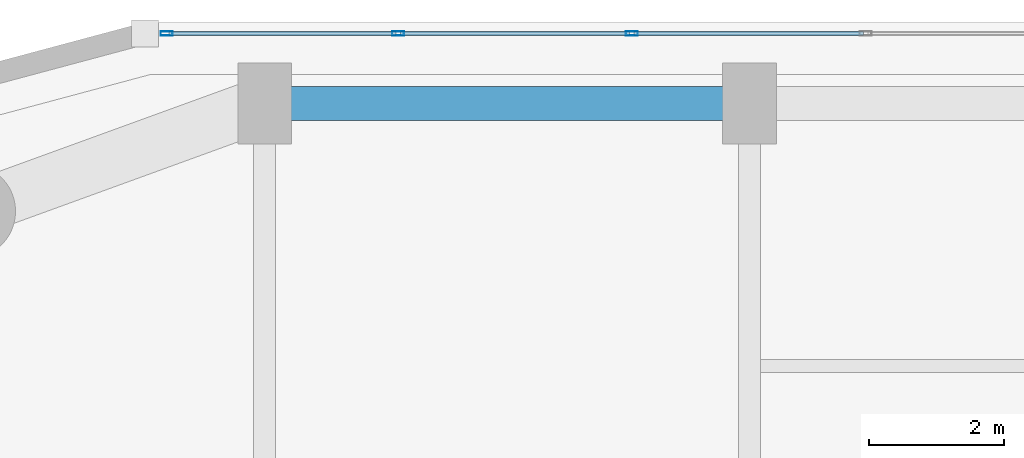
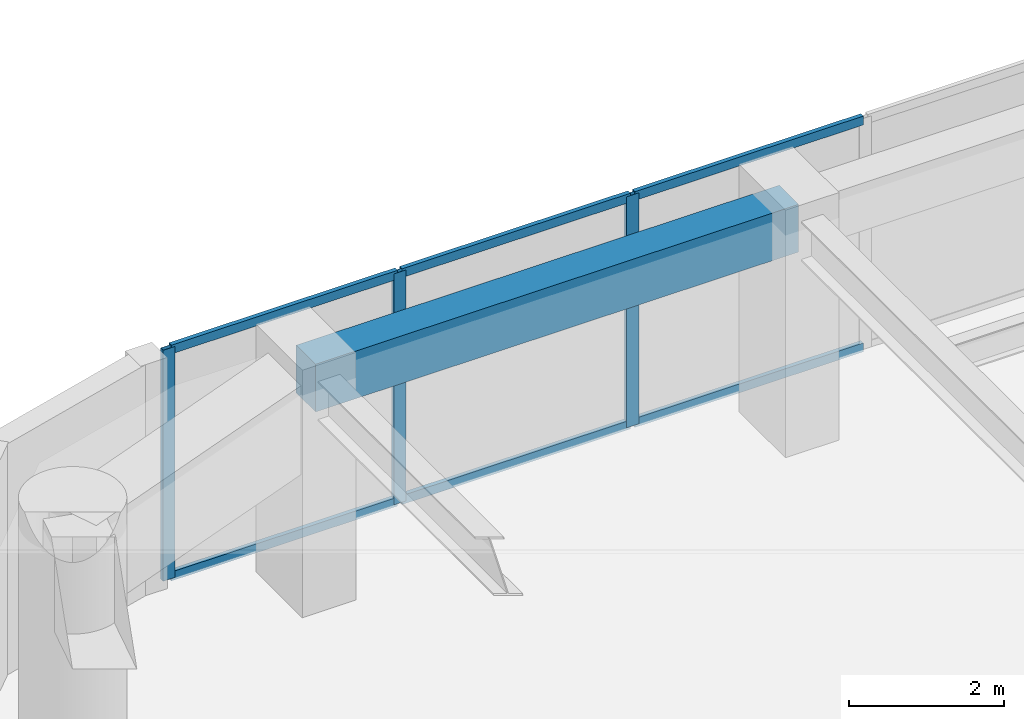
# One storey, part 13 of 24: 9 members, 1 beam, 1 element without a shape of its own.
"""IFC4 building model written with IfcOpenShell, lengths in metres."""

import ifcopenshell
import ifcopenshell.guid

model = None  # the IFC model being written
_history = None  # IfcOwnerHistory: only IFC2X3 demands one
_inside = {}  # id of a spatial element -> (the spatial element, [elements in it])
_under = {}  # id of a project, library or spatial element -> (it, [spatial elements below it])
_declared = {}  # id of a project -> (the project, [libraries it declares])
_typed = {}  # id of a type object -> (the type object, [elements of that type])
_made_of = {}  # id of a material, layer set ... -> (it, [elements and type objects made of it])


def new_model(schema):
    """Start an empty IFC model of exactly this schema.

    Asked for "IFC4X3", IfcOpenShell would pick the latest addendum, in which some entities
    have other attributes; the version numbers below select the first issue.
    IFC2X3 requires an IfcOwnerHistory on every rooted entity: one is made here for all.
    """
    global model, _history
    if schema == "IFC4X3":
        model = ifcopenshell.file(schema_version=(4, 3, 0, 0))
    else:
        model = ifcopenshell.file(schema=schema)
    _inside.clear()
    _under.clear()
    _declared.clear()
    _typed.clear()
    _made_of.clear()
    _history = None
    if model.schema == "IFC2X3":
        org = make("IfcOrganization", Name="unknown")
        user = make(
            "IfcPersonAndOrganization",
            ThePerson=make("IfcPerson", FamilyName="unknown"),
            TheOrganization=org,
        )
        app = make(
            "IfcApplication",
            ApplicationDeveloper=org,
            Version="unknown",
            ApplicationFullName="unknown",
            ApplicationIdentifier="unknown",
        )
        _history = make(
            "IfcOwnerHistory",
            OwningUser=user,
            OwningApplication=app,
            ChangeAction="ADDED",
            CreationDate=0,
        )
    return model


def make(cls, **values):
    """One entity of the class cls with the attributes given. An attribute that is None is left unset."""
    return model.create_entity(
        cls, **{name: value for name, value in values.items() if value is not None}
    )


def rooted(cls, **values):
    """An entity with a GlobalId (a new one), such as an element, a storey or a relation."""
    return make(cls, GlobalId=ifcopenshell.guid.new(), OwnerHistory=_history, **values)


def si_unit(unit_type, name, prefix=None):
    """IfcSIUnit, for example si_unit("LENGTHUNIT", "METRE", prefix="MILLI")."""
    return make("IfcSIUnit", UnitType=unit_type, Prefix=prefix, Name=name)


def assignment(units):
    """IfcUnitAssignment: the units of a project."""
    return None if units is None else make("IfcUnitAssignment", Units=units)


def point(xyz):
    """IfcCartesianPoint."""
    return None if xyz is None else make("IfcCartesianPoint", Coordinates=xyz)


def direction(xyz):
    """IfcDirection."""
    return None if xyz is None else make("IfcDirection", DirectionRatios=xyz)


def frame(location, z_axis=None, x_axis=None):
    """IfcAxis2Placement3D, a coordinate frame: its origin and axes. An axis left out is left unset."""
    return make(
        "IfcAxis2Placement3D",
        Location=point(location),
        Axis=direction(z_axis),
        RefDirection=direction(x_axis),
    )


def frame_2d(location, x_axis=None):
    """IfcAxis2Placement2D, a coordinate frame in the plane: its origin and x axis."""
    return make(
        "IfcAxis2Placement2D", Location=point(location), RefDirection=direction(x_axis)
    )


def origin():
    """The frame at (0, 0, 0) with its axes left unset."""
    return frame((0.0, 0.0, 0.0))


def origin_2d():
    """The frame at (0, 0) in the plane with its x axis left unset."""
    return frame_2d((0.0, 0.0))


def place(relative_to, where):
    """IfcLocalPlacement: puts the frame where relative to a parent placement (None: the world)."""
    return make(
        "IfcLocalPlacement", PlacementRelTo=relative_to, RelativePlacement=where
    )


def context(
    kind, dimensions, precision=None, world=None, true_north=None, identifier=None
):
    """IfcGeometricRepresentationContext, for example the 3D "Model" context."""
    return make(
        "IfcGeometricRepresentationContext",
        ContextIdentifier=identifier,
        ContextType=kind,
        CoordinateSpaceDimension=dimensions,
        Precision=precision,
        WorldCoordinateSystem=world,
        TrueNorth=true_north,
    )


def subcontext(parent, identifier, kind, view, scale=None):
    """IfcGeometricRepresentationSubContext, for example "Body" below "Model"."""
    return make(
        "IfcGeometricRepresentationSubContext",
        ContextIdentifier=identifier,
        ContextType=kind,
        ParentContext=parent,
        TargetScale=scale,
        TargetView=view,
    )


def project(units=None, contexts=None):
    """IfcProject with its units and contexts."""
    return rooted(
        "IfcProject",
        Name="project",
        RepresentationContexts=contexts,
        UnitsInContext=assignment(units),
    )


def spatial(cls, under=None, at=None, **own):
    """A site, building, storey or space (cls), placed at a placement, below another one or the project."""
    s = rooted(cls, ObjectPlacement=at, **own)
    if under is not None:
        _under.setdefault(under.id(), (under, []))[1].append(s)
    return s


def profile(cls, at=None, kind="AREA", **sizes):
    """A parametric profile (cls). Its sizes go by their IFC names, for example OverallWidth=200.0."""
    return make(cls, ProfileType=kind, Position=at, **sizes)


def rectangle(**sizes):
    """IfcRectangleProfileDef."""
    return profile("IfcRectangleProfileDef", **sizes)


def hollow_rectangle(**sizes):
    """IfcRectangleHollowProfileDef."""
    return profile("IfcRectangleHollowProfileDef", **sizes)


def extrude(swept, where, along, depth):
    """IfcExtrudedAreaSolid: the profile swept, set in the frame where, extruded along a direction by depth."""
    return make(
        "IfcExtrudedAreaSolid",
        SweptArea=swept,
        Position=where,
        ExtrudedDirection=direction(along),
        Depth=depth,
    )


def shape(context_of_items, identifier, shape_type, items):
    """IfcShapeRepresentation: the items that make up one representation, for example the "Body"."""
    return make(
        "IfcShapeRepresentation",
        ContextOfItems=context_of_items,
        RepresentationIdentifier=identifier,
        RepresentationType=shape_type,
        Items=items,
    )


def material(Name=None, Category=None):
    """IfcMaterial."""
    return make("IfcMaterial", Name=Name, Category=Category)


def layer(
    of_material, thickness, ventilated=None, Name=None, Category=None, Priority=None
):
    """IfcMaterialLayer: one layer of a wall or slab, of a material (None: an air gap)."""
    return make(
        "IfcMaterialLayer",
        Material=of_material,
        LayerThickness=thickness,
        IsVentilated=ventilated,
        Name=Name,
        Category=Category,
        Priority=Priority,
    )


def layer_set(layers, Name=None):
    """IfcMaterialLayerSet."""
    return make("IfcMaterialLayerSet", MaterialLayers=layers, LayerSetName=Name)


def material_profile(
    of_material, cross_section, Name=None, Category=None, Priority=None
):
    """IfcMaterialProfile: a cross section and its material."""
    return make(
        "IfcMaterialProfile",
        Name=Name,
        Material=of_material,
        Profile=cross_section,
        Priority=Priority,
        Category=Category,
    )


def profile_set(profiles, Name=None, composite=None):
    """IfcMaterialProfileSet."""
    return make(
        "IfcMaterialProfileSet",
        Name=Name,
        MaterialProfiles=profiles,
        CompositeProfile=composite,
    )


def made_of(thing, what):
    """Note that an element or type object is made of a material, layer set ...; save() writes the relation."""
    if what is not None:
        _made_of.setdefault(what.id(), (what, []))[1].append(thing)
    return thing


def type_object(cls, material=None, **own):
    """A type object (cls), such as IfcWallType, which elements share."""
    return made_of(rooted(cls, **own), material)


def element(
    cls,
    number,
    at=None,
    inside=None,
    cuts=None,
    type_object=None,
    material=None,
    context=None,
    identifier="Body",
    shape_type=None,
    held_by="IfcProductDefinitionShape",
    body=None,
    shapes=None,
    **own,
):
    """One element of the class cls, such as IfcWall. Its Tag is "e" and its number.

    at: its placement. inside: the storey or other place that contains it. cuts: it is an
    opening in that element (IfcRelVoidsElement). A single representation is given by context,
    identifier, shape_type and body (its items); several are given by shapes. held_by: the class
    of the entity that holds the representations. save() writes the other relations.
    """
    e = rooted(cls, Tag="e%d" % number, ObjectPlacement=at, **own)
    if body is not None:
        shapes = [shape(context, identifier, shape_type, body)]
    if shapes is not None:
        e.Representation = make(held_by, Representations=shapes)
    if inside is not None:
        _inside.setdefault(inside.id(), (inside, []))[1].append(e)
    if cuts is not None:
        rooted(
            "IfcRelVoidsElement", RelatingBuildingElement=cuts, RelatedOpeningElement=e
        )
    if type_object is not None:
        _typed.setdefault(type_object.id(), (type_object, []))[1].append(e)
    return made_of(e, material)


def aggregate(whole, parts):
    """IfcRelAggregates: a whole, such as a stair, and the parts it consists of."""
    return rooted("IfcRelAggregates", RelatingObject=whole, RelatedObjects=parts)


def save(model, path):
    """Write the relations noted so far, then the file.

    IfcRelAggregates (storeys below a building ...), IfcRelContainedInSpatialStructure (elements
    in a storey), IfcRelDefinesByType, IfcRelAssociatesMaterial and IfcRelDeclares: one each for
    every whole, place, type object, material and project.
    """
    for whole, parts in _under.values():
        aggregate(whole, parts)
    for where, things in _inside.values():
        rooted(
            "IfcRelContainedInSpatialStructure",
            RelatedElements=things,
            RelatingStructure=where,
        )
    for kind, things in _typed.values():
        rooted("IfcRelDefinesByType", RelatedObjects=things, RelatingType=kind)
    for what, things in _made_of.values():
        rooted("IfcRelAssociatesMaterial", RelatedObjects=things, RelatingMaterial=what)
    for by, libraries in _declared.values():
        rooted("IfcRelDeclares", RelatingContext=by, RelatedDefinitions=libraries)
    model.write(path)


model = new_model("IFC4")

# Units and contexts
model_context = context("Model", 3, precision=1e-05, world=origin(), true_north=direction((0.0, 1.0)))
body_context = subcontext(model_context, "Body", "Model", "MODEL_VIEW")
ifc_project = project(units=[si_unit("LENGTHUNIT", "METRE"), si_unit("AREAUNIT", "SQUARE_METRE"), si_unit("VOLUMEUNIT", "CUBIC_METRE"), si_unit("PLANEANGLEUNIT", "RADIAN"), si_unit("MASSUNIT", "GRAM", prefix="KILO")], contexts=[model_context])

# Site, building, storey
site_placement = place(None, origin())
site = spatial("IfcSite", under=ifc_project, at=site_placement, CompositionType="ELEMENT")
building_placement = place(site_placement, origin())
building = spatial("IfcBuilding", under=site, at=building_placement, Name="Kiyonajd Concourse Tower", CompositionType="ELEMENT")
storey_placement = place(building_placement, frame((0.0, 0.0, 133.800048828125)))
storey = spatial("IfcBuildingStorey", under=building, at=storey_placement, Name="L34", CompositionType="ELEMENT", Elevation=133.800048828125)

# Beam
ifc_material_1 = material(Name="Precast concrete C50/60", Category="concrete")
ifc_material_profile_1 = material_profile(ifc_material_1, rectangle(XDim=0.5, YDim=0.75, at=origin_2d()), Name="RCBM-500x750")
ifc_profile_set_1 = profile_set([ifc_material_profile_1], Name="Precast concrete C50/60")
beam_type = type_object("IfcBeamType", Name="BM-SPAN-RC", PredefinedType="SPANDREL", material=ifc_profile_set_1)
beam_placement = place(storey_placement, frame((32.39990234375, 61.199951171875, 3.264892578125), z_axis=(-1.0, 0.0, 0.0), x_axis=(0.0, -1.0, 0.0)))
element("IfcBeam", 1, at=beam_placement, inside=storey, type_object=beam_type, Name="L34 Perimeter Bundled Tube Spandrel", PredefinedType="SPANDREL", context=body_context, shape_type="SweptSolid", body=[
    extrude(rectangle(XDim=0.5, YDim=0.75, at=origin_2d()), origin(), (0.0, 0.0, 1.0), 7.199951171875),
])

# Curtain wall, members
ifc_material_2 = material(Name="Thermally Broken Anodised Aluminium", Category="aluminium")
ifc_layer = layer(ifc_material_2, 0.179931640625)
ifc_layer_set = layer_set([ifc_layer], Name="Thermally Broken Anodised Aluminium")
curtain_wall_type = type_object("IfcCurtainWallType", Name="CW-SYS-03", PredefinedType="NOTDEFINED", material=ifc_layer_set)
curtain_wall_placement = place(storey_placement, origin())
curtain_wall = element("IfcCurtainWall", 2, at=curtain_wall_placement, inside=storey, type_object=curtain_wall_type, Name="L34 Unitised Curtain Wall CW3", PredefinedType="NOTDEFINED")
ifc_material_profile_2 = material_profile(ifc_material_2, hollow_rectangle(XDim=0.06494140625, YDim=0.179931640625, WallThickness=0.00390625, at=origin_2d()), Name="MULL-65x180")
ifc_profile_set_2 = profile_set([ifc_material_profile_2], Name="Thermally Broken Anodised Aluminium")
member_type_1 = type_object("IfcMemberType", Name="MB-CW-MULL1", PredefinedType="MULLION", material=ifc_profile_set_2)
member_1_placement = place(storey_placement, frame((23.74365234375, 62.239990234375, 0.0), z_axis=(0.0, 0.0, 1.0), x_axis=(0.0, 1.0, 0.0)))
member_1 = element("IfcMember", 3, at=member_1_placement, type_object=member_type_1, Name="CW3 mullion 1", PredefinedType="MULLION", context=body_context, shape_type="SweptSolid", body=[
    extrude(hollow_rectangle(XDim=0.06494140625, YDim=0.179931640625, WallThickness=0.00390625, at=origin_2d()), origin(), (0.0, 0.0, 1.0), 3.639892578125),
])
member_2_placement = place(storey_placement, frame((27.181884765625, 62.239990234375, 0.0), z_axis=(0.0, 0.0, 1.0), x_axis=(0.0, 1.0, 0.0)))
member_2 = element("IfcMember", 4, at=member_2_placement, type_object=member_type_1, Name="CW3 mullion 2", PredefinedType="MULLION", context=body_context, shape_type="SweptSolid", body=[
    extrude(hollow_rectangle(XDim=0.06494140625, YDim=0.179931640625, WallThickness=0.00390625, at=origin_2d()), origin(), (0.0, 0.0, 1.0), 3.639892578125),
])
member_3_placement = place(storey_placement, frame((30.652587890625, 62.239990234375, 0.0), z_axis=(0.0, 0.0, 1.0), x_axis=(0.0, 1.0, 0.0)))
member_3 = element("IfcMember", 5, at=member_3_placement, type_object=member_type_1, Name="CW3 mullion 3", PredefinedType="MULLION", context=body_context, shape_type="SweptSolid", body=[
    extrude(hollow_rectangle(XDim=0.06494140625, YDim=0.179931640625, WallThickness=0.00390625, at=origin_2d()), origin(), (0.0, 0.0, 1.0), 3.639892578125),
])
ifc_material_profile_3 = material_profile(ifc_material_2, hollow_rectangle(XDim=0.06494140625, YDim=0.139892578125, WallThickness=0.00390625, at=origin_2d()), Name="TRAN-65x140")
ifc_profile_set_3 = profile_set([ifc_material_profile_3], Name="Thermally Broken Anodised Aluminium")
member_type_2 = type_object("IfcMemberType", Name="MB-CW-TRAN1", PredefinedType="USERDEFINED", material=ifc_profile_set_3)
member_4_placement = place(storey_placement, frame((23.776123046875, 62.239990234375, 0.032470703125), z_axis=(1.0, 0.0, 0.0), x_axis=(0.0, 1.0, 0.0)))
member_4 = element("IfcMember", 6, at=member_4_placement, type_object=member_type_2, Name="CW3 transom 1.1", ObjectType="TRANSOM", PredefinedType="USERDEFINED", context=body_context, shape_type="SweptSolid", body=[
    extrude(hollow_rectangle(XDim=0.06494140625, YDim=0.139892578125, WallThickness=0.00390625, at=origin_2d()), origin(), (0.0, 0.0, 1.0), 3.373291015625),
])
member_5_placement = place(storey_placement, frame((23.776123046875, 62.239990234375, 3.607421875), z_axis=(1.0, 0.0, 0.0), x_axis=(0.0, 1.0, 0.0)))
member_5 = element("IfcMember", 7, at=member_5_placement, type_object=member_type_2, Name="CW3 transom 1.2", ObjectType="TRANSOM", PredefinedType="USERDEFINED", context=body_context, shape_type="SweptSolid", body=[
    extrude(hollow_rectangle(XDim=0.06494140625, YDim=0.139892578125, WallThickness=0.00390625, at=origin_2d()), origin(), (0.0, 0.0, 1.0), 3.373291015625),
])
member_6_placement = place(storey_placement, frame((27.21435546875, 62.239990234375, 0.032470703125), z_axis=(1.0, 0.0, 0.0), x_axis=(0.0, 1.0, 0.0)))
member_6 = element("IfcMember", 8, at=member_6_placement, type_object=member_type_2, Name="CW3 transom 2.1", ObjectType="TRANSOM", PredefinedType="USERDEFINED", context=body_context, shape_type="SweptSolid", body=[
    extrude(hollow_rectangle(XDim=0.06494140625, YDim=0.139892578125, WallThickness=0.00390625, at=origin_2d()), origin(), (0.0, 0.0, 1.0), 3.40576171875),
])
member_7_placement = place(storey_placement, frame((27.21435546875, 62.239990234375, 3.607421875), z_axis=(1.0, 0.0, 0.0), x_axis=(0.0, 1.0, 0.0)))
member_7 = element("IfcMember", 9, at=member_7_placement, type_object=member_type_2, Name="CW3 transom 2.2", ObjectType="TRANSOM", PredefinedType="USERDEFINED", context=body_context, shape_type="SweptSolid", body=[
    extrude(hollow_rectangle(XDim=0.06494140625, YDim=0.139892578125, WallThickness=0.00390625, at=origin_2d()), origin(), (0.0, 0.0, 1.0), 3.40576171875),
])
member_8_placement = place(storey_placement, frame((30.68505859375, 62.239990234375, 0.032470703125), z_axis=(1.0, 0.0, 0.0), x_axis=(0.0, 1.0, 0.0)))
member_8 = element("IfcMember", 10, at=member_8_placement, type_object=member_type_2, Name="CW3 transom 3.1", ObjectType="TRANSOM", PredefinedType="USERDEFINED", context=body_context, shape_type="SweptSolid", body=[
    extrude(hollow_rectangle(XDim=0.06494140625, YDim=0.139892578125, WallThickness=0.00390625, at=origin_2d()), origin(), (0.0, 0.0, 1.0), 3.40576171875),
])
member_9_placement = place(storey_placement, frame((30.68505859375, 62.239990234375, 3.607421875), z_axis=(1.0, 0.0, 0.0), x_axis=(0.0, 1.0, 0.0)))
member_9 = element("IfcMember", 11, at=member_9_placement, type_object=member_type_2, Name="CW3 transom 3.2", ObjectType="TRANSOM", PredefinedType="USERDEFINED", context=body_context, shape_type="SweptSolid", body=[
    extrude(hollow_rectangle(XDim=0.06494140625, YDim=0.139892578125, WallThickness=0.00390625, at=origin_2d()), origin(), (0.0, 0.0, 1.0), 3.40576171875),
])
aggregate(curtain_wall, [member_1, member_2, member_3, member_4, member_5, member_6, member_7, member_8, member_9])

save(model, "model.ifc")
